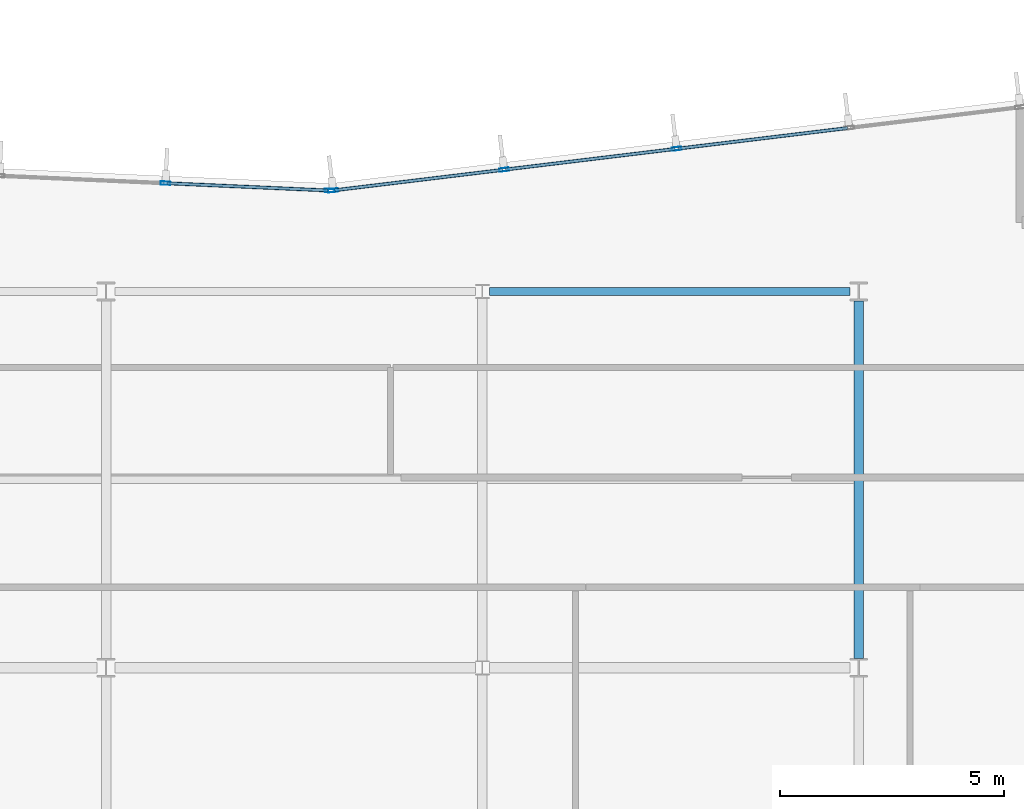
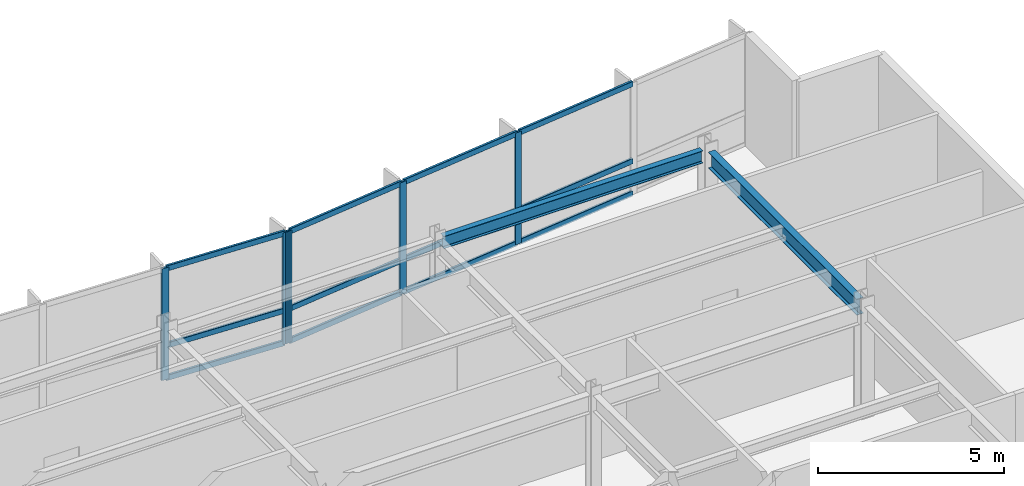
# One storey, part 7 of 16: 17 members, 2 beams, 2 elements without a shape of their own.
"""IFC4 building model written with IfcOpenShell, lengths in metres."""

from ifc_helpers import new_model, si_unit, direction, frame, origin, origin_2d, place, context, subcontext, project, spatial, hollow_rectangle, i_section, extrude, material, layer, layer_set, material_profile, profile_set, type_object, element, aggregate, save


model = new_model("IFC4")

# Units and contexts
model_context = context("Model", 3, precision=1e-05, world=origin(), true_north=direction((0.0, 1.0)))
body_context = subcontext(model_context, "Body", "Model", "MODEL_VIEW")
ifc_project = project(units=[si_unit("LENGTHUNIT", "METRE"), si_unit("AREAUNIT", "SQUARE_METRE"), si_unit("VOLUMEUNIT", "CUBIC_METRE"), si_unit("PLANEANGLEUNIT", "RADIAN"), si_unit("MASSUNIT", "GRAM", prefix="KILO")], contexts=[model_context])

# Site, building, storey
site_placement = place(None, origin())
site = spatial("IfcSite", under=ifc_project, at=site_placement, CompositionType="ELEMENT")
building_placement = place(site_placement, origin())
building = spatial("IfcBuilding", under=site, at=building_placement, Name="Varnakote Quay Hospital", CompositionType="ELEMENT")
storey_placement = place(building_placement, frame((0.0, 0.0, 170.5)))
storey = spatial("IfcBuildingStorey", under=building, at=storey_placement, Name="L42", CompositionType="ELEMENT", Elevation=170.5)

# Beam
ifc_material_1 = material(Name="Structural steel AS/NZS 3679.1 Grade 350 L0 (fy 340 MPa)", Category="steel")
ifc_material_profile_1 = material_profile(ifc_material_1, i_section(OverallWidth=0.208984375, OverallDepth=0.532958984375, WebThickness=0.01025390625, FlangeThickness=0.015625, FilletRadius=0.013916015625, at=origin_2d()), Name="530UB92.4")
ifc_profile_set_1 = profile_set([ifc_material_profile_1], Name="Structural steel AS/NZS 3679.1 Grade 350 L0 (fy 340 MPa)")
beam_type_1 = type_object("IfcBeamType", Name="BM-STL-530UB92-4", PredefinedType="BEAM", material=ifc_profile_set_1)
beam_1_placement = place(storey_placement, frame((50.39990234375, 20.610107421875, 3.403564453125), z_axis=(0.0, 1.0, 0.0), x_axis=(-1.0, 0.0, 0.0)))
element("IfcBeam", 1, at=beam_1_placement, inside=storey, type_object=beam_type_1, Name="L42 Primary Tie Beam", PredefinedType="BEAM", context=body_context, shape_type="SweptSolid", body=[
    extrude(i_section(OverallWidth=0.208984375, OverallDepth=0.532958984375, WebThickness=0.01025390625, FlangeThickness=0.015625, FilletRadius=0.013916015625, at=origin_2d()), origin(), (0.0, 0.0, 1.0), 7.97998046875),
])

# Curtain wall, members
ifc_material_2 = material(Name="Anodised aluminium 6063-T6 Bronze", Category="aluminium")
ifc_layer = layer(ifc_material_2, 0.205078125)
ifc_layer_set = layer_set([ifc_layer], Name="Anodised aluminium 6063-T6 Bronze")
curtain_wall_type = type_object("IfcCurtainWallType", Name="CW-SYS-3", PredefinedType="NOTDEFINED", material=ifc_layer_set)
curtain_wall_1_placement = place(storey_placement, origin())
curtain_wall_1 = element("IfcCurtainWall", 2, at=curtain_wall_1_placement, inside=storey, type_object=curtain_wall_type, Name="L42 Unitised Bronze Curtain Wall 1", PredefinedType="NOTDEFINED")
ifc_material_3 = material(Name="Anodised aluminium 6063-T6 Bronze", Category="aluminium")
ifc_material_profile_2 = material_profile(ifc_material_3, hollow_rectangle(XDim=0.074951171875, YDim=0.219970703125, WallThickness=0.00439453125, InnerFilletRadius=0.00439453125, OuterFilletRadius=0.009033203125, at=origin_2d()), Name="CW-MULL-220x75")
ifc_profile_set_2 = profile_set([ifc_material_profile_2], Name="Anodised aluminium 6063-T6 Bronze")
member_type_1 = type_object("IfcMemberType", Name="CW-MULL-220x75", PredefinedType="MULLION", material=ifc_profile_set_2)
member_1_placement = place(storey_placement, frame((46.3349609375, 31.985595703125, 0.0), z_axis=(0.0, 0.0, 1.0), x_axis=(0.12032713492, -0.992734295067, 0.0)))
member_1 = element("IfcMember", 3, at=member_1_placement, type_object=member_type_1, Name="-3-L42-1 mullion 3", PredefinedType="MULLION", context=body_context, shape_type="SweptSolid", body=[
    extrude(hollow_rectangle(XDim=0.074951171875, YDim=0.219970703125, WallThickness=0.00439453125, InnerFilletRadius=0.00439453125, OuterFilletRadius=0.009033203125, at=origin_2d()), origin(), (0.0, 0.0, 1.0), 3.669921875),
])
member_2_placement = place(storey_placement, frame((42.482666015625, 31.5185546875, 0.0), z_axis=(0.0, 0.0, 1.0), x_axis=(0.12032713492, -0.992734295067, 0.0)))
member_2 = element("IfcMember", 4, at=member_2_placement, type_object=member_type_1, Name="-3-L42-1 mullion 4", PredefinedType="MULLION", context=body_context, shape_type="SweptSolid", body=[
    extrude(hollow_rectangle(XDim=0.074951171875, YDim=0.219970703125, WallThickness=0.00439453125, InnerFilletRadius=0.00439453125, OuterFilletRadius=0.009033203125, at=origin_2d()), origin(), (0.0, 0.0, 1.0), 3.669921875),
])
member_3_placement = place(storey_placement, frame((38.667236328125, 31.05615234375, 0.0), z_axis=(0.0, 0.0, 1.0), x_axis=(0.12032713492, -0.992734295067, 0.0)))
member_3 = element("IfcMember", 5, at=member_3_placement, type_object=member_type_1, Name="-3-L42-1 mullion 5", PredefinedType="MULLION", context=body_context, shape_type="SweptSolid", body=[
    extrude(hollow_rectangle(XDim=0.074951171875, YDim=0.219970703125, WallThickness=0.00439453125, InnerFilletRadius=0.00439453125, OuterFilletRadius=0.009033203125, at=origin_2d()), origin(), (0.0, 0.0, 1.0), 3.669921875),
])

curtain_wall_2_placement = place(storey_placement, origin())
curtain_wall_2 = element("IfcCurtainWall", 6, at=curtain_wall_2_placement, inside=storey, type_object=curtain_wall_type, Name="L42 Unitised Bronze Curtain Wall 2", PredefinedType="NOTDEFINED")
member_4_placement = place(storey_placement, frame((38.592529296875, 31.05322265625, 0.0), z_axis=(0.0, 0.0, 1.0), x_axis=(-0.044782334659, -0.998996768014, 0.0)))
member_4 = element("IfcMember", 7, at=member_4_placement, type_object=member_type_1, Name="-3-L42-2 mullion 1", PredefinedType="MULLION", context=body_context, shape_type="SweptSolid", body=[
    extrude(hollow_rectangle(XDim=0.074951171875, YDim=0.219970703125, WallThickness=0.00439453125, InnerFilletRadius=0.00439453125, OuterFilletRadius=0.009033203125, at=origin_2d()), origin(), (0.0, 0.0, 1.0), 3.669921875),
])
member_5_placement = place(storey_placement, frame((34.927001953125, 31.217529296875, 0.0), z_axis=(0.0, 0.0, 1.0), x_axis=(-0.044782334659, -0.998996768014, 0.0)))
member_5 = element("IfcMember", 8, at=member_5_placement, type_object=member_type_1, Name="-3-L42-2 mullion 2", PredefinedType="MULLION", context=body_context, shape_type="SweptSolid", body=[
    extrude(hollow_rectangle(XDim=0.074951171875, YDim=0.219970703125, WallThickness=0.00439453125, InnerFilletRadius=0.00439453125, OuterFilletRadius=0.009033203125, at=origin_2d()), origin(), (0.0, 0.0, 1.0), 3.669921875),
])

# Member
ifc_material_4 = material(Name="Anodised aluminium 6063-T6 Bronze", Category="aluminium")
ifc_material_profile_3 = material_profile(ifc_material_4, hollow_rectangle(XDim=0.074951171875, YDim=0.179931640625, WallThickness=0.004150390625, InnerFilletRadius=0.004150390625, OuterFilletRadius=0.00830078125, at=origin_2d()), Name="CW-TRAN-180x75")
ifc_profile_set_3 = profile_set([ifc_material_profile_3], Name="Anodised aluminium 6063-T6 Bronze")
member_type_2 = type_object("IfcMemberType", Name="CW-TRAN-180x75", PredefinedType="USERDEFINED", material=ifc_profile_set_3)
member_6_placement = place(storey_placement, frame((50.150390625, 32.447998046875, 0.03759765625), z_axis=(-0.992731924158, -0.120346694005, 0.0), x_axis=(0.120346694005, -0.992731924158, 0.0)))
member_6 = element("IfcMember", 9, at=member_6_placement, type_object=member_type_2, Name="-3-L42-1 transom 2.1", ObjectType="TRANSOM", PredefinedType="USERDEFINED", context=body_context, shape_type="SweptSolid", body=[
    extrude(hollow_rectangle(XDim=0.074951171875, YDim=0.179931640625, WallThickness=0.004150390625, InnerFilletRadius=0.004150390625, OuterFilletRadius=0.00830078125, at=origin_2d()), origin(), (0.0, 0.0, 1.0), 3.8056640625),
])

member_7_placement = place(storey_placement, frame((50.150390625, 32.447998046875, 1.10009765625), z_axis=(-0.992731924158, -0.120346694005, 0.0), x_axis=(0.120346694005, -0.992731924158, 0.0)))
member_7 = element("IfcMember", 10, at=member_7_placement, type_object=member_type_2, Name="-3-L42-1 transom 2.2", ObjectType="TRANSOM", PredefinedType="USERDEFINED", context=body_context, shape_type="SweptSolid", body=[
    extrude(hollow_rectangle(XDim=0.074951171875, YDim=0.179931640625, WallThickness=0.004150390625, InnerFilletRadius=0.004150390625, OuterFilletRadius=0.00830078125, at=origin_2d()), origin(), (0.0, 0.0, 1.0), 3.8056640625),
])

member_8_placement = place(storey_placement, frame((50.150390625, 32.447998046875, 3.632568359375), z_axis=(-0.992731924158, -0.120346694005, 0.0), x_axis=(0.120346694005, -0.992731924158, 0.0)))
member_8 = element("IfcMember", 11, at=member_8_placement, type_object=member_type_2, Name="-3-L42-1 transom 2.3", ObjectType="TRANSOM", PredefinedType="USERDEFINED", context=body_context, shape_type="SweptSolid", body=[
    extrude(hollow_rectangle(XDim=0.074951171875, YDim=0.179931640625, WallThickness=0.004150390625, InnerFilletRadius=0.004150390625, OuterFilletRadius=0.00830078125, at=origin_2d()), origin(), (0.0, 0.0, 1.0), 3.8056640625),
])

member_9_placement = place(storey_placement, frame((46.2978515625, 31.98095703125, 0.03759765625), z_axis=(-0.992731924158, -0.120346694005, 0.0), x_axis=(0.120346694005, -0.992731924158, 0.0)))
member_9 = element("IfcMember", 12, at=member_9_placement, type_object=member_type_2, Name="-3-L42-1 transom 3.1", ObjectType="TRANSOM", PredefinedType="USERDEFINED", context=body_context, shape_type="SweptSolid", body=[
    extrude(hollow_rectangle(XDim=0.074951171875, YDim=0.179931640625, WallThickness=0.004150390625, InnerFilletRadius=0.004150390625, OuterFilletRadius=0.00830078125, at=origin_2d()), origin(), (0.0, 0.0, 1.0), 3.8056640625),
])

member_10_placement = place(storey_placement, frame((46.2978515625, 31.98095703125, 1.10009765625), z_axis=(-0.992731924158, -0.120346694005, 0.0), x_axis=(0.120346694005, -0.992731924158, 0.0)))
member_10 = element("IfcMember", 13, at=member_10_placement, type_object=member_type_2, Name="-3-L42-1 transom 3.2", ObjectType="TRANSOM", PredefinedType="USERDEFINED", context=body_context, shape_type="SweptSolid", body=[
    extrude(hollow_rectangle(XDim=0.074951171875, YDim=0.179931640625, WallThickness=0.004150390625, InnerFilletRadius=0.004150390625, OuterFilletRadius=0.00830078125, at=origin_2d()), origin(), (0.0, 0.0, 1.0), 3.8056640625),
])

member_11_placement = place(storey_placement, frame((46.2978515625, 31.98095703125, 3.632568359375), z_axis=(-0.992731924158, -0.120346694005, 0.0), x_axis=(0.120346694005, -0.992731924158, 0.0)))
member_11 = element("IfcMember", 14, at=member_11_placement, type_object=member_type_2, Name="-3-L42-1 transom 3.3", ObjectType="TRANSOM", PredefinedType="USERDEFINED", context=body_context, shape_type="SweptSolid", body=[
    extrude(hollow_rectangle(XDim=0.074951171875, YDim=0.179931640625, WallThickness=0.004150390625, InnerFilletRadius=0.004150390625, OuterFilletRadius=0.00830078125, at=origin_2d()), origin(), (0.0, 0.0, 1.0), 3.8056640625),
])

member_12_placement = place(storey_placement, frame((42.4453125, 31.513916015625, 0.03759765625), z_axis=(-0.992735423717, -0.120317822859, 0.0), x_axis=(0.120317822859, -0.992735423717, 0.0)))
member_12 = element("IfcMember", 15, at=member_12_placement, type_object=member_type_2, Name="-3-L42-1 transom 4.1", ObjectType="TRANSOM", PredefinedType="USERDEFINED", context=body_context, shape_type="SweptSolid", body=[
    extrude(hollow_rectangle(XDim=0.074951171875, YDim=0.179931640625, WallThickness=0.004150390625, InnerFilletRadius=0.004150390625, OuterFilletRadius=0.00830078125, at=origin_2d()), origin(), (0.0, 0.0, 1.0), 3.76806640625),
])

member_13_placement = place(storey_placement, frame((42.4453125, 31.513916015625, 1.10009765625), z_axis=(-0.992735423717, -0.120317822859, 0.0), x_axis=(0.120317822859, -0.992735423717, 0.0)))
member_13 = element("IfcMember", 16, at=member_13_placement, type_object=member_type_2, Name="-3-L42-1 transom 4.2", ObjectType="TRANSOM", PredefinedType="USERDEFINED", context=body_context, shape_type="SweptSolid", body=[
    extrude(hollow_rectangle(XDim=0.074951171875, YDim=0.179931640625, WallThickness=0.004150390625, InnerFilletRadius=0.004150390625, OuterFilletRadius=0.00830078125, at=origin_2d()), origin(), (0.0, 0.0, 1.0), 3.76806640625),
])

member_14_placement = place(storey_placement, frame((42.4453125, 31.513916015625, 3.632568359375), z_axis=(-0.992735423717, -0.120317822859, 0.0), x_axis=(0.120317822859, -0.992735423717, 0.0)))
member_14 = element("IfcMember", 17, at=member_14_placement, type_object=member_type_2, Name="-3-L42-1 transom 4.3", ObjectType="TRANSOM", PredefinedType="USERDEFINED", context=body_context, shape_type="SweptSolid", body=[
    extrude(hollow_rectangle(XDim=0.074951171875, YDim=0.179931640625, WallThickness=0.004150390625, InnerFilletRadius=0.004150390625, OuterFilletRadius=0.00830078125, at=origin_2d()), origin(), (0.0, 0.0, 1.0), 3.76806640625),
])

aggregate(curtain_wall_1, [member_1, member_2, member_3, member_6, member_7, member_8, member_9, member_10, member_11, member_12, member_13, member_14])

member_15_placement = place(storey_placement, frame((38.55517578125, 31.054931640625, 0.03759765625), z_axis=(-0.998997740237, 0.044760641203, 0.0), x_axis=(-0.044760641203, -0.998997740237, 0.0)))
member_15 = element("IfcMember", 18, at=member_15_placement, type_object=member_type_2, Name="-3-L42-2 transom 1.1", ObjectType="TRANSOM", PredefinedType="USERDEFINED", context=body_context, shape_type="SweptSolid", body=[
    extrude(hollow_rectangle(XDim=0.074951171875, YDim=0.179931640625, WallThickness=0.004150390625, InnerFilletRadius=0.004150390625, OuterFilletRadius=0.00830078125, at=origin_2d()), origin(), (0.0, 0.0, 1.0), 3.594482421875),
])

member_16_placement = place(storey_placement, frame((38.55517578125, 31.054931640625, 1.10009765625), z_axis=(-0.998997740237, 0.044760641203, 0.0), x_axis=(-0.044760641203, -0.998997740237, 0.0)))
member_16 = element("IfcMember", 19, at=member_16_placement, type_object=member_type_2, Name="-3-L42-2 transom 1.2", ObjectType="TRANSOM", PredefinedType="USERDEFINED", context=body_context, shape_type="SweptSolid", body=[
    extrude(hollow_rectangle(XDim=0.074951171875, YDim=0.179931640625, WallThickness=0.004150390625, InnerFilletRadius=0.004150390625, OuterFilletRadius=0.00830078125, at=origin_2d()), origin(), (0.0, 0.0, 1.0), 3.594482421875),
])

member_17_placement = place(storey_placement, frame((38.55517578125, 31.054931640625, 3.632568359375), z_axis=(-0.998997740237, 0.044760641203, 0.0), x_axis=(-0.044760641203, -0.998997740237, 0.0)))
member_17 = element("IfcMember", 20, at=member_17_placement, type_object=member_type_2, Name="-3-L42-2 transom 1.3", ObjectType="TRANSOM", PredefinedType="USERDEFINED", context=body_context, shape_type="SweptSolid", body=[
    extrude(hollow_rectangle(XDim=0.074951171875, YDim=0.179931640625, WallThickness=0.004150390625, InnerFilletRadius=0.004150390625, OuterFilletRadius=0.00830078125, at=origin_2d()), origin(), (0.0, 0.0, 1.0), 3.594482421875),
])

aggregate(curtain_wall_2, [member_4, member_5, member_15, member_16, member_17])

# Beam
ifc_material_5 = material(Name="Structural steel AS/NZS 3679.1 Grade 350 L0 (fy 340 MPa)", Category="steel")
ifc_material_profile_4 = material_profile(ifc_material_5, i_section(OverallWidth=0.177978515625, OverallDepth=0.406005859375, WebThickness=0.0078125, FlangeThickness=0.0126953125, FilletRadius=0.011474609375, at=origin_2d()), Name="410UB59.7")
ifc_profile_set_4 = profile_set([ifc_material_profile_4], Name="Structural steel AS/NZS 3679.1 Grade 350 L0 (fy 340 MPa)")
beam_type_2 = type_object("IfcBeamType", Name="SPN-STL-410UB59-7", PredefinedType="SPANDREL", material=ifc_profile_set_4)
beam_2_placement = place(storey_placement, frame((42.153564453125, 28.800048828125, 3.467041015625), z_axis=(1.0, 0.0, 0.0), x_axis=(0.0, 1.0, 0.0)))
element("IfcBeam", 21, at=beam_2_placement, inside=storey, type_object=beam_type_2, Name="L42 Perimeter Spandrel Beam", PredefinedType="SPANDREL", context=body_context, shape_type="SweptSolid", body=[
    extrude(i_section(OverallWidth=0.177978515625, OverallDepth=0.406005859375, WebThickness=0.0078125, FlangeThickness=0.0126953125, FilletRadius=0.011474609375, at=origin_2d()), origin(), (0.0, 0.0, 1.0), 8.04638671875),
])

save(model, "model.ifc")
